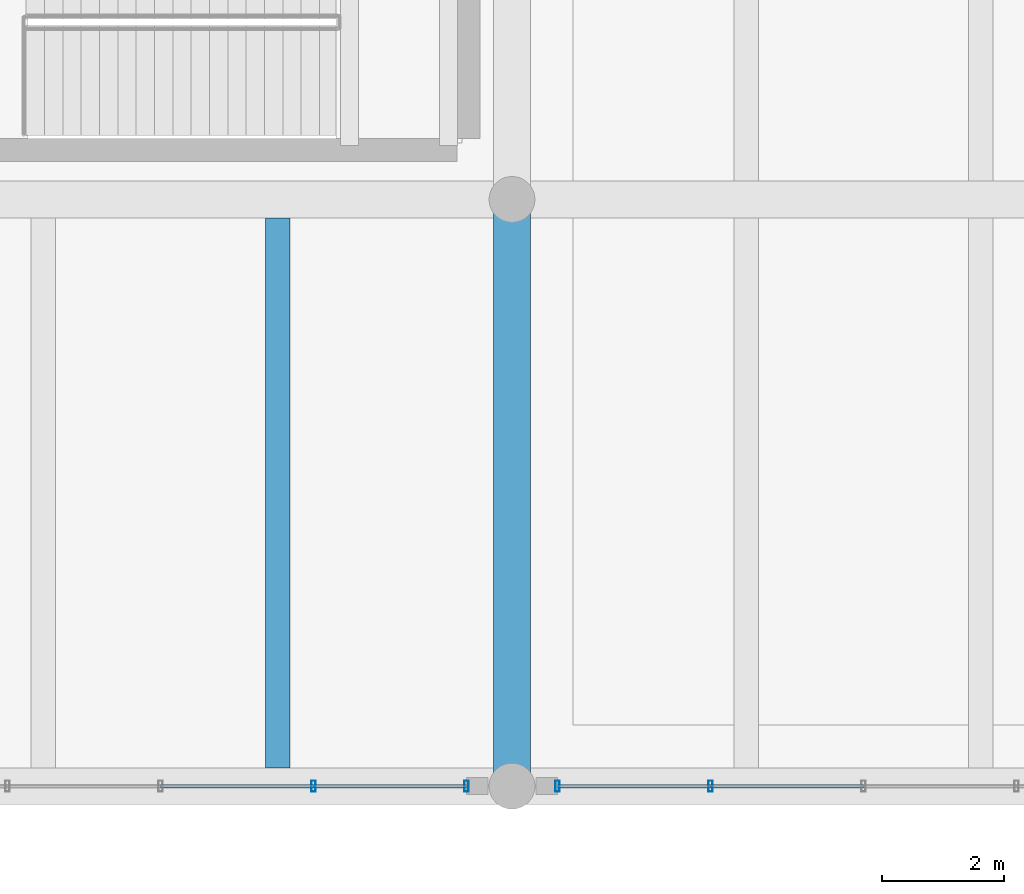
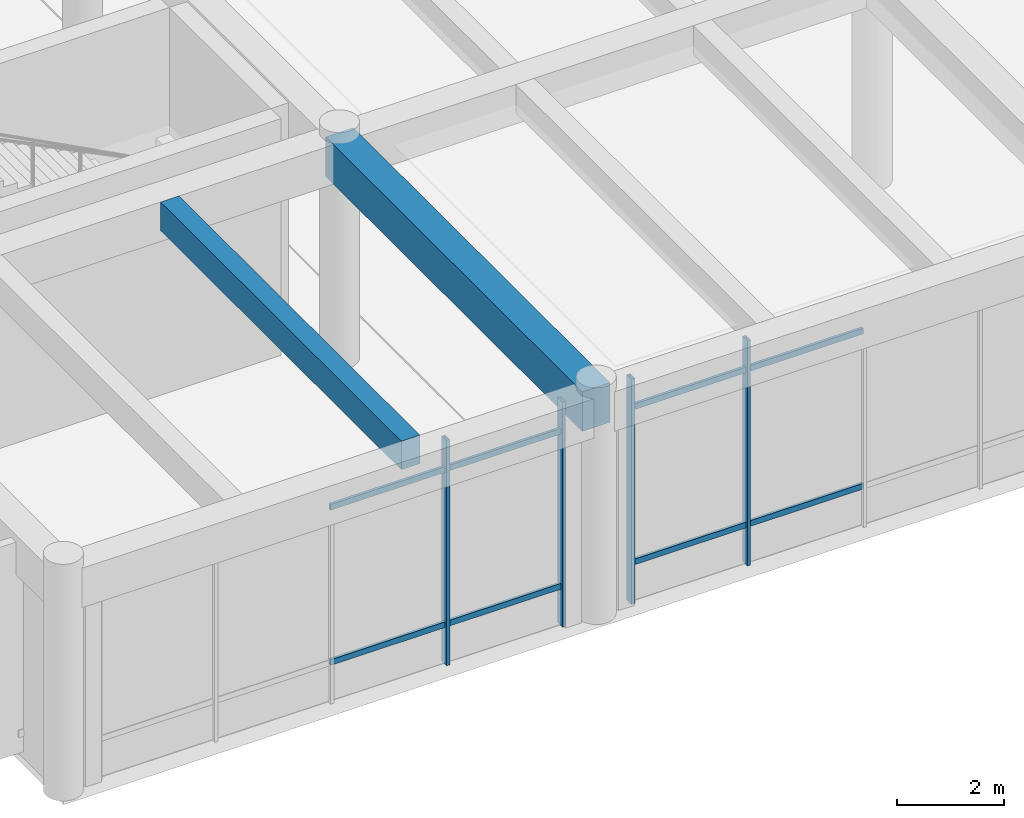
# One storey, part 25 of 148: 12 members, 2 beams, 2 elements without a shape of their own.
"""IFC4 building model written with IfcOpenShell, lengths in metres."""

from ifc_helpers import new_model, si_unit, direction, frame, origin, origin_2d, place, context, subcontext, project, spatial, rectangle, hollow_rectangle, extrude, material, material_profile, profile_set, type_object, element, aggregate, save


model = new_model("IFC4")

# Units and contexts
model_context = context("Model", 3, precision=1e-05, world=origin(), true_north=direction((0.0, 1.0)))
body_context = subcontext(model_context, "Body", "Model", "MODEL_VIEW")
ifc_project = project(units=[si_unit("LENGTHUNIT", "METRE"), si_unit("AREAUNIT", "SQUARE_METRE"), si_unit("VOLUMEUNIT", "CUBIC_METRE"), si_unit("PLANEANGLEUNIT", "RADIAN"), si_unit("MASSUNIT", "GRAM", prefix="KILO")], contexts=[model_context])

# Site, building, storey
site_placement = place(None, origin())
site = spatial("IfcSite", under=ifc_project, at=site_placement, CompositionType="ELEMENT")
building_placement = place(site_placement, origin())
building = spatial("IfcBuilding", under=site, at=building_placement, Name="Ologun Quay Terminus", CompositionType="ELEMENT")
storey_placement = place(building_placement, frame((0.0, 0.0, 8.39990234375)))
storey = spatial("IfcBuildingStorey", under=building, at=storey_placement, Name="L02", CompositionType="ELEMENT", Elevation=8.39990234375)

# Curtain wall, members
ifc_material_1 = material(Name="Aluminium 6063-T6", Category="aluminium")
curtain_wall_type = type_object("IfcCurtainWallType", Name="Concourse Departure Curtain Wall 10700x4950", PredefinedType="USERDEFINED", material=ifc_material_1)
curtain_wall_1_placement = place(storey_placement, origin())
curtain_wall_1 = element("IfcCurtainWall", 1, at=curtain_wall_1_placement, inside=storey, type_object=curtain_wall_type, Name="CW-05 Curtain Wall CW-L02-024", ObjectType="UNITISED CURTAIN WALL", PredefinedType="USERDEFINED")
ifc_material_2 = material(Name="Aluminium 6063-T6", Category="aluminium")
ifc_material_profile_1 = material_profile(ifc_material_2, hollow_rectangle(XDim=0.070068359375, YDim=0.179931640625, WallThickness=0.0048828125, at=origin_2d()), Name="ALU 180x70x5")
ifc_profile_set_1 = profile_set([ifc_material_profile_1], Name="Aluminium 6063-T6")
member_type_1 = type_object("IfcMemberType", Name="Curtain Wall Heavy Mullion 180x70", PredefinedType="MULLION", material=ifc_profile_set_1)
member_1_placement = place(storey_placement, frame((65.75244140625, 8.0, 0.0), z_axis=(0.0, 0.0, 1.0), x_axis=(1.0, 0.0, 0.0)))
member_1 = element("IfcMember", 2, at=member_1_placement, type_object=member_type_1, Name="CW-L02-024 Mullion 4", PredefinedType="MULLION", context=body_context, shape_type="SweptSolid", body=[
    extrude(hollow_rectangle(XDim=0.070068359375, YDim=0.179931640625, WallThickness=0.0048828125, at=origin_2d()), origin(), (0.0, 0.0, 1.0), 5.14013671875),
])
member_2_placement = place(storey_placement, frame((68.2548828125, 8.0, 0.0), z_axis=(0.0, 0.0, 1.0), x_axis=(1.0, 0.0, 0.0)))
member_2 = element("IfcMember", 3, at=member_2_placement, type_object=member_type_1, Name="CW-L02-024 Mullion 5", PredefinedType="MULLION", context=body_context, shape_type="SweptSolid", body=[
    extrude(hollow_rectangle(XDim=0.070068359375, YDim=0.179931640625, WallThickness=0.0048828125, at=origin_2d()), origin(), (0.0, 0.0, 1.0), 5.14013671875),
])

curtain_wall_2_placement = place(storey_placement, origin())
curtain_wall_2 = element("IfcCurtainWall", 4, at=curtain_wall_2_placement, inside=storey, type_object=curtain_wall_type, Name="CW-05 Curtain Wall CW-L02-025", ObjectType="UNITISED CURTAIN WALL", PredefinedType="USERDEFINED")
member_3_placement = place(storey_placement, frame((69.7451171875, 8.0, 0.0), z_axis=(0.0, 0.0, 1.0), x_axis=(1.0, 0.0, 0.0)))
member_3 = element("IfcMember", 5, at=member_3_placement, type_object=member_type_1, Name="CW-L02-025 Mullion 1", PredefinedType="MULLION", context=body_context, shape_type="SweptSolid", body=[
    extrude(hollow_rectangle(XDim=0.070068359375, YDim=0.179931640625, WallThickness=0.0048828125, at=origin_2d()), origin(), (0.0, 0.0, 1.0), 5.14013671875),
])
member_4_placement = place(storey_placement, frame((72.24755859375, 8.0, 0.0), z_axis=(0.0, 0.0, 1.0), x_axis=(1.0, 0.0, 0.0)))
member_4 = element("IfcMember", 6, at=member_4_placement, type_object=member_type_1, Name="CW-L02-025 Mullion 2", PredefinedType="MULLION", context=body_context, shape_type="SweptSolid", body=[
    extrude(hollow_rectangle(XDim=0.070068359375, YDim=0.179931640625, WallThickness=0.0048828125, at=origin_2d()), origin(), (0.0, 0.0, 1.0), 5.14013671875),
])

# Member
ifc_material_3 = material(Name="Aluminium 6063-T6", Category="aluminium")
ifc_material_profile_2 = material_profile(ifc_material_3, hollow_rectangle(XDim=0.06005859375, YDim=0.1298828125, WallThickness=0.00390625, at=origin_2d()), Name="ALU 130x60x4")
ifc_profile_set_2 = profile_set([ifc_material_profile_2], Name="Aluminium 6063-T6")
member_type_2 = type_object("IfcMemberType", Name="Curtain Wall Heavy Transom 130x60", PredefinedType="USERDEFINED", material=ifc_profile_set_2)
member_5_placement = place(storey_placement, frame((63.25, 8.0, 0.900146484375), z_axis=(1.0, 0.0, 0.0), x_axis=(0.0, 1.0, 0.0)))
member_5 = element("IfcMember", 7, at=member_5_placement, type_object=member_type_2, Name="CW-L02-024 Transom B3-1", ObjectType="TRANSOM", PredefinedType="USERDEFINED", context=body_context, shape_type="SweptSolid", body=[
    extrude(hollow_rectangle(XDim=0.06005859375, YDim=0.1298828125, WallThickness=0.00390625, at=origin_2d()), origin(), (0.0, 0.0, 1.0), 2.50244140625),
])

member_6_placement = place(storey_placement, frame((63.25, 8.0, 4.440185546875), z_axis=(1.0, 0.0, 0.0), x_axis=(0.0, 1.0, 0.0)))
member_6 = element("IfcMember", 8, at=member_6_placement, type_object=member_type_2, Name="CW-L02-024 Transom B3-2", ObjectType="TRANSOM", PredefinedType="USERDEFINED", context=body_context, shape_type="SweptSolid", body=[
    extrude(hollow_rectangle(XDim=0.06005859375, YDim=0.1298828125, WallThickness=0.00390625, at=origin_2d()), origin(), (0.0, 0.0, 1.0), 2.50244140625),
])

member_7_placement = place(storey_placement, frame((65.75244140625, 8.0, 0.900146484375), z_axis=(1.0, 0.0, 0.0), x_axis=(0.0, 1.0, 0.0)))
member_7 = element("IfcMember", 9, at=member_7_placement, type_object=member_type_2, Name="CW-L02-024 Transom B4-1", ObjectType="TRANSOM", PredefinedType="USERDEFINED", context=body_context, shape_type="SweptSolid", body=[
    extrude(hollow_rectangle(XDim=0.06005859375, YDim=0.1298828125, WallThickness=0.00390625, at=origin_2d()), origin(), (0.0, 0.0, 1.0), 2.50244140625),
])

member_8_placement = place(storey_placement, frame((65.75244140625, 8.0, 4.440185546875), z_axis=(1.0, 0.0, 0.0), x_axis=(0.0, 1.0, 0.0)))
member_8 = element("IfcMember", 10, at=member_8_placement, type_object=member_type_2, Name="CW-L02-024 Transom B4-2", ObjectType="TRANSOM", PredefinedType="USERDEFINED", context=body_context, shape_type="SweptSolid", body=[
    extrude(hollow_rectangle(XDim=0.06005859375, YDim=0.1298828125, WallThickness=0.00390625, at=origin_2d()), origin(), (0.0, 0.0, 1.0), 2.50244140625),
])

aggregate(curtain_wall_1, [member_1, member_2, member_5, member_6, member_7, member_8])

member_9_placement = place(storey_placement, frame((69.7451171875, 8.0, 0.900146484375), z_axis=(1.0, 0.0, 0.0), x_axis=(0.0, 1.0, 0.0)))
member_9 = element("IfcMember", 11, at=member_9_placement, type_object=member_type_2, Name="CW-L02-025 Transom B1-1", ObjectType="TRANSOM", PredefinedType="USERDEFINED", context=body_context, shape_type="SweptSolid", body=[
    extrude(hollow_rectangle(XDim=0.06005859375, YDim=0.1298828125, WallThickness=0.00390625, at=origin_2d()), origin(), (0.0, 0.0, 1.0), 2.50244140625),
])

member_10_placement = place(storey_placement, frame((69.7451171875, 8.0, 4.440185546875), z_axis=(1.0, 0.0, 0.0), x_axis=(0.0, 1.0, 0.0)))
member_10 = element("IfcMember", 12, at=member_10_placement, type_object=member_type_2, Name="CW-L02-025 Transom B1-2", ObjectType="TRANSOM", PredefinedType="USERDEFINED", context=body_context, shape_type="SweptSolid", body=[
    extrude(hollow_rectangle(XDim=0.06005859375, YDim=0.1298828125, WallThickness=0.00390625, at=origin_2d()), origin(), (0.0, 0.0, 1.0), 2.50244140625),
])

member_11_placement = place(storey_placement, frame((72.24755859375, 8.0, 0.900146484375), z_axis=(1.0, 0.0, 0.0), x_axis=(0.0, 1.0, 0.0)))
member_11 = element("IfcMember", 13, at=member_11_placement, type_object=member_type_2, Name="CW-L02-025 Transom B2-1", ObjectType="TRANSOM", PredefinedType="USERDEFINED", context=body_context, shape_type="SweptSolid", body=[
    extrude(hollow_rectangle(XDim=0.06005859375, YDim=0.1298828125, WallThickness=0.00390625, at=origin_2d()), origin(), (0.0, 0.0, 1.0), 2.50244140625),
])

member_12_placement = place(storey_placement, frame((72.24755859375, 8.0, 4.440185546875), z_axis=(1.0, 0.0, 0.0), x_axis=(0.0, 1.0, 0.0)))
member_12 = element("IfcMember", 14, at=member_12_placement, type_object=member_type_2, Name="CW-L02-025 Transom B2-2", ObjectType="TRANSOM", PredefinedType="USERDEFINED", context=body_context, shape_type="SweptSolid", body=[
    extrude(hollow_rectangle(XDim=0.06005859375, YDim=0.1298828125, WallThickness=0.00390625, at=origin_2d()), origin(), (0.0, 0.0, 1.0), 2.50244140625),
])

aggregate(curtain_wall_2, [member_3, member_4, member_9, member_10, member_11, member_12])

# Beams
ifc_material_4 = material(Name="Concrete C40/50", Category="concrete")
ifc_material_profile_3 = material_profile(ifc_material_4, rectangle(XDim=0.60009765625, YDim=0.89990234375, at=origin_2d()), Name="RC 600x900")
ifc_profile_set_3 = profile_set([ifc_material_profile_3], Name="Concrete C40/50")
beam_type_1 = type_object("IfcBeamType", Name="Station Frame Girder 600x900", PredefinedType="BEAM", material=ifc_profile_set_3)
beam_1_placement = place(storey_placement, frame((69.0, 8.0, 4.7001953125), z_axis=(0.0, 1.0, 0.0), x_axis=(-1.0, 0.0, 0.0)))
element("IfcBeam", 15, at=beam_1_placement, inside=storey, type_object=beam_type_1, Name="B3 Beam 7/B L02", PredefinedType="BEAM", context=body_context, shape_type="SweptSolid", body=[
    extrude(rectangle(XDim=0.60009765625, YDim=0.89990234375, at=origin_2d()), origin(), (0.0, 0.0, 1.0), 9.60009765625),
])
ifc_material_5 = material(Name="Concrete C40/50", Category="concrete")
ifc_material_profile_4 = material_profile(ifc_material_5, rectangle(XDim=0.39990234375, YDim=0.64990234375, at=origin_2d()), Name="RC 400x650")
ifc_profile_set_4 = profile_set([ifc_material_profile_4], Name="Concrete C40/50")
beam_type_2 = type_object("IfcBeamType", Name="Station Secondary Joist 400x650", PredefinedType="JOIST", material=ifc_profile_set_4)
beam_2_placement = place(storey_placement, frame((65.166748046875, 8.300048828125, 4.8251953125), z_axis=(0.0, 1.0, 0.0), x_axis=(-1.0, 0.0, 0.0)))
element("IfcBeam", 16, at=beam_2_placement, inside=storey, type_object=beam_type_2, Name="J1 Beam 6/B L02", PredefinedType="JOIST", context=body_context, shape_type="SweptSolid", body=[
    extrude(rectangle(XDim=0.39990234375, YDim=0.64990234375, at=origin_2d()), origin(), (0.0, 0.0, 1.0), 9.0),
])

save(model, "model.ifc")
